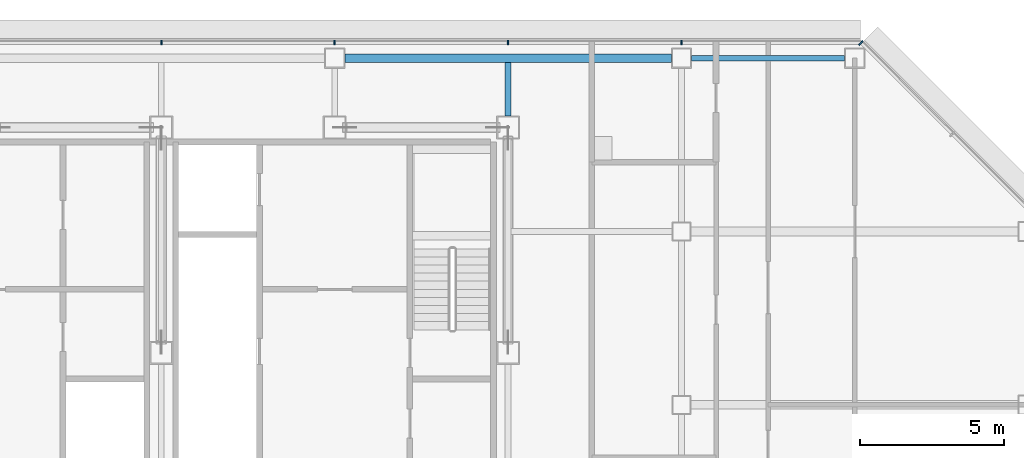
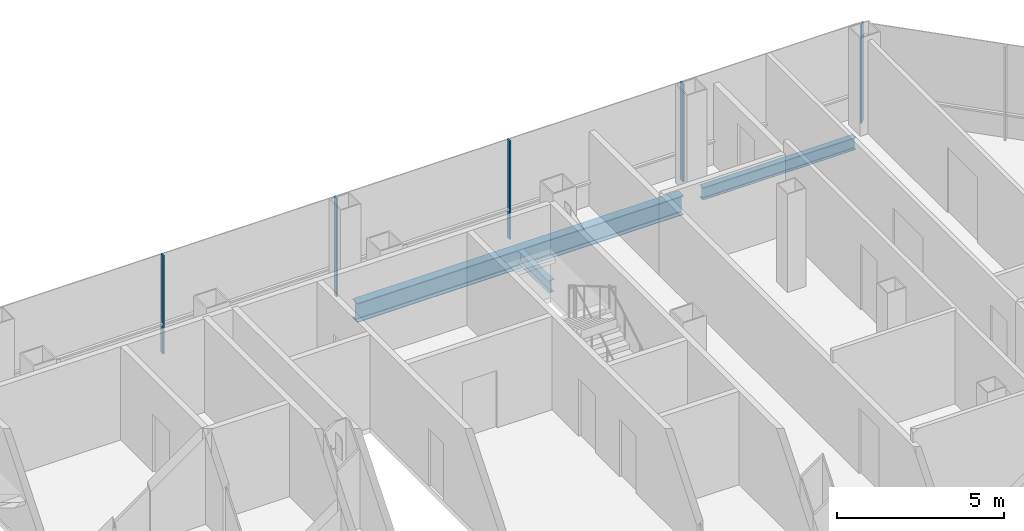
# One storey, part 14 of 26: 5 members, 3 beams, 2 elements without a shape of their own.
"""IFC4 building model written with IfcOpenShell, lengths in metres."""

from ifc_helpers import new_model, si_unit, direction, frame, origin, origin_2d, place, context, subcontext, project, spatial, rectangle, i_section, extrude, material, material_profile, profile_set, type_object, element, aggregate, save


model = new_model("IFC4")

# Units and contexts
model_context = context("Model", 3, precision=1e-05, world=origin(), true_north=direction((0.0, 1.0)))
body_context = subcontext(model_context, "Body", "Model", "MODEL_VIEW")
ifc_project = project(units=[si_unit("LENGTHUNIT", "METRE"), si_unit("AREAUNIT", "SQUARE_METRE"), si_unit("VOLUMEUNIT", "CUBIC_METRE"), si_unit("PLANEANGLEUNIT", "RADIAN"), si_unit("MASSUNIT", "GRAM", prefix="KILO")], contexts=[model_context])

# Site, building, storey
site_placement = place(None, origin())
site = spatial("IfcSite", under=ifc_project, at=site_placement, CompositionType="ELEMENT")
building_placement = place(site_placement, origin())
building = spatial("IfcBuilding", under=site, at=building_placement, Name="Sorahane Residences", CompositionType="ELEMENT")
storey_placement = place(building_placement, frame((0.0, 0.0, 154.60009765625)))
storey = spatial("IfcBuildingStorey", under=building, at=storey_placement, Name="L35", CompositionType="ELEMENT", Elevation=154.60009765625)

# Curtain wall, members
ifc_material_1 = material(Name="Dark low-e glass and black anodised aluminium", Category="aluminium")
curtain_wall_type_1 = type_object("IfcCurtainWallType", Name="Curtain wall CW-1 Typical unitised wall", PredefinedType="NOTDEFINED", material=ifc_material_1)
curtain_wall_1_placement = place(storey_placement, origin())
curtain_wall_1 = element("IfcCurtainWall", 1, at=curtain_wall_1_placement, inside=storey, type_object=curtain_wall_type_1, Name="CW-1 curtain wall L35 N1", PredefinedType="NOTDEFINED")
ifc_material_2 = material(Name="Black anodised aluminium", Category="aluminium")
ifc_material_profile_1 = material_profile(ifc_material_2, rectangle(XDim=0.159912109375, YDim=0.050048828125, at=origin_2d()), Name="Curtain wall mullion CW-1 black anodised aluminium 50x160")
ifc_profile_set_1 = profile_set([ifc_material_profile_1], Name="Black anodised aluminium")
member_type_1 = type_object("IfcMemberType", Name="Curtain wall mullion CW-1 black anodised aluminium 50x160", PredefinedType="MULLION", material=ifc_profile_set_1)
member_1_placement = place(storey_placement, frame((48.0, 48.5400390625, -0.18017578125), z_axis=(0.0, 0.0, 1.0), x_axis=(0.0, 1.0, 0.0)))
member_1 = element("IfcMember", 2, at=member_1_placement, type_object=member_type_1, Name="CW-1 mullion L35 N1.2", PredefinedType="MULLION", context=body_context, shape_type="SweptSolid", body=[
    extrude(rectangle(XDim=0.159912109375, YDim=0.050048828125, at=origin_2d()), origin(), (0.0, 0.0, 1.0), 3.60009765625),
])
member_2_placement = place(storey_placement, frame((42.0, 48.5400390625, -0.18017578125), z_axis=(0.0, 0.0, 1.0), x_axis=(0.0, 1.0, 0.0)))
member_2 = element("IfcMember", 3, at=member_2_placement, type_object=member_type_1, Name="CW-1 mullion L35 N1.3", PredefinedType="MULLION", context=body_context, shape_type="SweptSolid", body=[
    extrude(rectangle(XDim=0.159912109375, YDim=0.050048828125, at=origin_2d()), origin(), (0.0, 0.0, 1.0), 3.60009765625),
])
member_3_placement = place(storey_placement, frame((36.0, 48.5400390625, -0.18017578125), z_axis=(0.0, 0.0, 1.0), x_axis=(0.0, 1.0, 0.0)))
member_3 = element("IfcMember", 4, at=member_3_placement, type_object=member_type_1, Name="CW-1 mullion L35 N1.4", PredefinedType="MULLION", context=body_context, shape_type="SweptSolid", body=[
    extrude(rectangle(XDim=0.159912109375, YDim=0.050048828125, at=origin_2d()), origin(), (0.0, 0.0, 1.0), 3.60009765625),
])
member_4_placement = place(storey_placement, frame((30.0, 48.5400390625, -0.18017578125), z_axis=(0.0, 0.0, 1.0), x_axis=(0.0, 1.0, 0.0)))
member_4 = element("IfcMember", 5, at=member_4_placement, type_object=member_type_1, Name="CW-1 mullion L35 N1.5", PredefinedType="MULLION", context=body_context, shape_type="SweptSolid", body=[
    extrude(rectangle(XDim=0.159912109375, YDim=0.050048828125, at=origin_2d()), origin(), (0.0, 0.0, 1.0), 3.60009765625),
])
aggregate(curtain_wall_1, [member_1, member_2, member_3, member_4])

# Curtain wall, member
ifc_material_3 = material(Name="Dark low-e glass and black anodised aluminium", Category="aluminium")
curtain_wall_type_2 = type_object("IfcCurtainWallType", Name="Curtain wall CW-2 Chamfer unitised wall", PredefinedType="NOTDEFINED", material=ifc_material_3)
curtain_wall_2_placement = place(storey_placement, origin())
curtain_wall_2 = element("IfcCurtainWall", 6, at=curtain_wall_2_placement, inside=storey, type_object=curtain_wall_type_2, Name="CW-2 curtain wall L35 NE1", PredefinedType="NOTDEFINED")
ifc_material_4 = material(Name="Black anodised aluminium", Category="aluminium")
ifc_material_profile_2 = material_profile(ifc_material_4, rectangle(XDim=0.199951171875, YDim=0.050048828125, at=origin_2d()), Name="Curtain wall mullion CW-2 black anodised aluminium 50x200")
ifc_profile_set_2 = profile_set([ifc_material_profile_2], Name="Black anodised aluminium")
member_type_2 = type_object("IfcMemberType", Name="Curtain wall mullion CW-2 black anodised aluminium 50x200", PredefinedType="MULLION", material=ifc_profile_set_2)
member_5_placement = place(storey_placement, frame((54.209716796875, 48.525634765625, -0.18017578125), z_axis=(0.0, 0.0, 1.0), x_axis=(0.707106781187, 0.707106781187, 0.0)))
member_5 = element("IfcMember", 7, at=member_5_placement, type_object=member_type_2, Name="CW-2 mullion L35 NE1.3", PredefinedType="MULLION", context=body_context, shape_type="SweptSolid", body=[
    extrude(rectangle(XDim=0.199951171875, YDim=0.050048828125, at=origin_2d()), origin(), (0.0, 0.0, 1.0), 3.60009765625),
])
aggregate(curtain_wall_2, [member_5])

# Beams
ifc_material_5 = material(Name="Steel Q355B", Category="steel")
ifc_material_profile_3 = material_profile(ifc_material_5, i_section(OverallWidth=0.199951171875, OverallDepth=0.449951171875, WebThickness=0.009033203125, FlangeThickness=0.013916015625, FilletRadius=0.02001953125, at=origin_2d()), Name="HN 450x200x9x14")
ifc_profile_set_3 = profile_set([ifc_material_profile_3], Name="Steel Q355B")
beam_type_1 = type_object("IfcBeamType", Name="Steel floor beam HN 450x200x9x14 Q355B", PredefinedType="BEAM", material=ifc_profile_set_3)
beam_1_placement = place(storey_placement, frame((48.35009765625, 48.0, -0.405029296875), z_axis=(1.0, 0.0, 0.0), x_axis=(0.0, 1.0, 0.0)))
element("IfcBeam", 8, at=beam_1_placement, inside=storey, type_object=beam_type_1, Name="Beam L35 019", PredefinedType="BEAM", context=body_context, shape_type="SweptSolid", body=[
    extrude(i_section(OverallWidth=0.199951171875, OverallDepth=0.449951171875, WebThickness=0.009033203125, FlangeThickness=0.013916015625, FilletRadius=0.02001953125, at=origin_2d()), origin(), (0.0, 0.0, 1.0), 5.2998046875),
])
beam_2_placement = place(storey_placement, frame((42.0, 46.0, -0.405029296875), z_axis=(0.0, 1.0, 0.0), x_axis=(-1.0, 0.0, 0.0)))
element("IfcBeam", 9, at=beam_2_placement, inside=storey, type_object=beam_type_1, Name="Beam L35 057", PredefinedType="BEAM", context=body_context, shape_type="SweptSolid", body=[
    extrude(i_section(OverallWidth=0.199951171875, OverallDepth=0.449951171875, WebThickness=0.009033203125, FlangeThickness=0.013916015625, FilletRadius=0.02001953125, at=origin_2d()), origin(), (0.0, 0.0, 1.0), 1.85009765625),
])
ifc_material_6 = material(Name="Steel Q355B", Category="steel")
ifc_material_profile_4 = material_profile(ifc_material_6, i_section(OverallWidth=0.300048828125, OverallDepth=0.699951171875, WebThickness=0.012939453125, FlangeThickness=0.02392578125, FilletRadius=0.028076171875, at=origin_2d()), Name="HN 700x300x13x24")
ifc_profile_set_4 = profile_set([ifc_material_profile_4], Name="Steel Q355B")
beam_type_2 = type_object("IfcBeamType", Name="Steel floor beam HN 700x300x13x24 Q355B", PredefinedType="BEAM", material=ifc_profile_set_4)
beam_3_placement = place(storey_placement, frame((36.35009765625, 48.0, -0.530029296875), z_axis=(1.0, 0.0, 0.0), x_axis=(0.0, 1.0, 0.0)))
element("IfcBeam", 10, at=beam_3_placement, inside=storey, type_object=beam_type_2, Name="Beam L35 018", PredefinedType="BEAM", context=body_context, shape_type="SweptSolid", body=[
    extrude(i_section(OverallWidth=0.300048828125, OverallDepth=0.699951171875, WebThickness=0.012939453125, FlangeThickness=0.02392578125, FilletRadius=0.028076171875, at=origin_2d()), origin(), (0.0, 0.0, 1.0), 11.2998046875),
])

save(model, "model.ifc")
